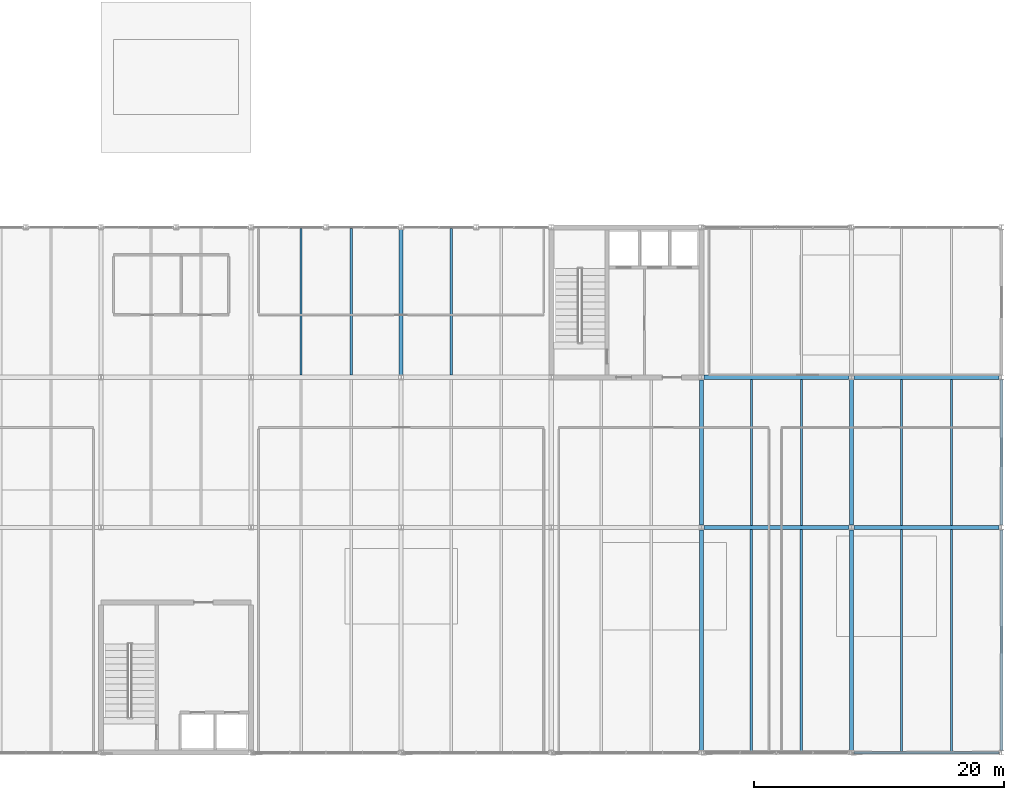
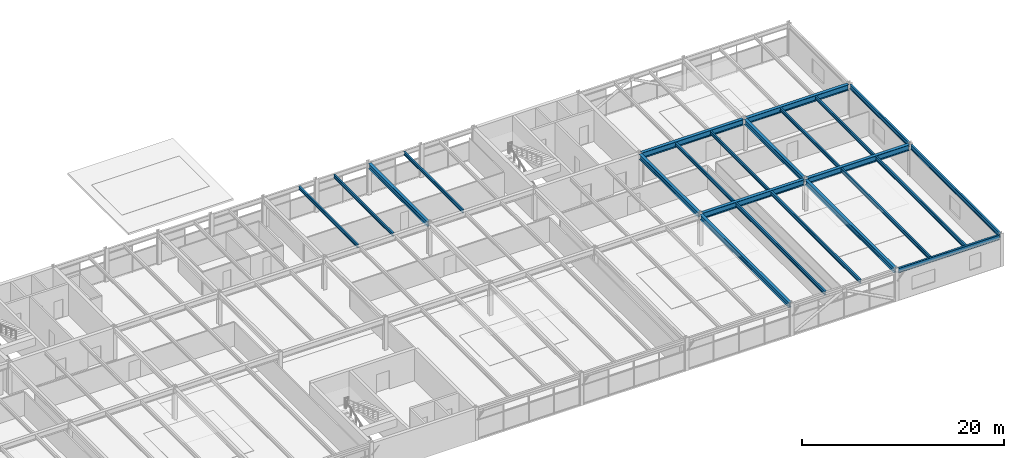
# One storey, part 32 of 49: 23 beams.
"""IFC4 building model written with IfcOpenShell, lengths in metres."""

from ifc_helpers import new_model, si_unit, direction, frame, origin, origin_2d, place, context, subcontext, project, spatial, i_section, extrude, material, material_profile, profile_set, type_object, element, save


model = new_model("IFC4")

# Units and contexts
model_context = context("Model", 3, precision=1e-05, world=origin(), true_north=direction((0.0, 1.0)))
body_context = subcontext(model_context, "Body", "Model", "MODEL_VIEW")
ifc_project = project(units=[si_unit("LENGTHUNIT", "METRE"), si_unit("AREAUNIT", "SQUARE_METRE"), si_unit("VOLUMEUNIT", "CUBIC_METRE"), si_unit("PLANEANGLEUNIT", "RADIAN"), si_unit("MASSUNIT", "GRAM", prefix="KILO")], contexts=[model_context])

# Site, building, storey
site_placement = place(None, origin())
site = spatial("IfcSite", under=ifc_project, at=site_placement, CompositionType="ELEMENT")
building_placement = place(site_placement, origin())
building = spatial("IfcBuilding", under=site, at=building_placement, Name="Girod Span Mobility Hub", CompositionType="ELEMENT")
storey_placement = place(building_placement, frame((0.0, 0.0, 37.60009765625)))
storey = spatial("IfcBuildingStorey", under=building, at=storey_placement, Name="L09", CompositionType="ELEMENT", Elevation=37.60009765625)

# Beams
ifc_material_1 = material(Name="Steel A992 Grade 50", Category="steel")
ifc_material_profile_1 = material_profile(ifc_material_1, i_section(OverallWidth=0.178955078125, OverallDepth=0.409912109375, WebThickness=0.0087890625, FlangeThickness=0.014404296875, FilletRadius=0.012939453125, at=origin_2d()), Name="W16X45")
ifc_profile_set_1 = profile_set([ifc_material_profile_1], Name="Steel A992 Grade 50")
beam_type_1 = type_object("IfcBeamType", Name="BM-STL-W16X45", PredefinedType="BEAM", material=ifc_profile_set_1)
for number, where, z_axis, x_axis, name in (
    (1, (88.0, 57.174560546875, 3.6298828125), (0.0, 1.0, 0.0), (-1.0, 0.0, 0.0), "Composite Floorbeam 8/E-1 L09"),
    (2, (92.0, 57.174560546875, 3.6298828125), (0.0, 1.0, 0.0), (-1.0, 0.0, 0.0), "Composite Floorbeam 8/E-2 L09"),
    (3, (100.0, 57.174560546875, 3.6298828125), (0.0, 1.0, 0.0), (-1.0, 0.0, 0.0), "Composite Floorbeam 9/E-1 L09"),
):
    element("IfcBeam", number, at=place(storey_placement, frame(where, z_axis=z_axis, x_axis=x_axis)), inside=storey, type_object=beam_type_1, Name=name, PredefinedType="BEAM", context=body_context, shape_type="SweptSolid", body=[
        extrude(i_section(OverallWidth=0.178955078125, OverallDepth=0.409912109375, WebThickness=0.0087890625, FlangeThickness=0.014404296875, FilletRadius=0.012939453125, at=origin_2d()), origin(), (0.0, 0.0, 1.0), 11.722412109375),
    ])
for number, where, z_axis, x_axis, name in (
    (4, (124.0, 45.174560546875, 3.6298828125), (0.0, 1.0, 0.0), (-1.0, 0.0, 0.0), "Composite Floorbeam 11/D-1 L09"),
    (5, (128.0, 45.174560546875, 3.6298828125), (0.0, 1.0, 0.0), (-1.0, 0.0, 0.0), "Composite Floorbeam 11/D-2 L09"),
    (6, (136.0, 45.174560546875, 3.6298828125), (0.0, 1.0, 0.0), (-1.0, 0.0, 0.0), "Composite Floorbeam 12/D-1 L09"),
    (7, (140.0, 45.174560546875, 3.6298828125), (0.0, 1.0, 0.0), (-1.0, 0.0, 0.0), "Composite Floorbeam 12/D-2 L09"),
):
    element("IfcBeam", number, at=place(storey_placement, frame(where, z_axis=z_axis, x_axis=x_axis)), inside=storey, type_object=beam_type_1, Name=name, PredefinedType="BEAM", context=body_context, shape_type="SweptSolid", body=[
        extrude(i_section(OverallWidth=0.178955078125, OverallDepth=0.409912109375, WebThickness=0.0087890625, FlangeThickness=0.014404296875, FilletRadius=0.012939453125, at=origin_2d()), origin(), (0.0, 0.0, 1.0), 11.65087890625),
    ])
ifc_material_2 = material(Name="Steel A992 Grade 50", Category="steel")
ifc_material_profile_2 = material_profile(ifc_material_2, i_section(OverallWidth=0.19189453125, OverallDepth=0.462890625, WebThickness=0.010498046875, FlangeThickness=0.017578125, FilletRadius=0.013916015625, at=origin_2d()), Name="W18X60")
ifc_profile_set_2 = profile_set([ifc_material_profile_2], Name="Steel A992 Grade 50")
beam_type_2 = type_object("IfcBeamType", Name="BM-STL-W18X60", PredefinedType="BEAM", material=ifc_profile_set_2)
for number, where, z_axis, x_axis, name in (
    (8, (124.0, 27.10302734375, 3.603515625), (0.0, 1.0, 0.0), (-1.0, 0.0, 0.0), "Composite Floorbeam 11/C-1 L09"),
    (9, (128.0, 27.10302734375, 3.603515625), (0.0, 1.0, 0.0), (-1.0, 0.0, 0.0), "Composite Floorbeam 11/C-2 L09"),
    (10, (136.0, 27.10302734375, 3.603515625), (0.0, 1.0, 0.0), (-1.0, 0.0, 0.0), "Composite Floorbeam 12/C-1 L09"),
    (11, (140.0, 27.10302734375, 3.603515625), (0.0, 1.0, 0.0), (-1.0, 0.0, 0.0), "Composite Floorbeam 12/C-2 L09"),
):
    element("IfcBeam", number, at=place(storey_placement, frame(where, z_axis=z_axis, x_axis=x_axis)), inside=storey, type_object=beam_type_2, Name=name, PredefinedType="BEAM", context=body_context, shape_type="SweptSolid", body=[
        extrude(i_section(OverallWidth=0.19189453125, OverallDepth=0.462890625, WebThickness=0.010498046875, FlangeThickness=0.017578125, FilletRadius=0.013916015625, at=origin_2d()), origin(), (0.0, 0.0, 1.0), 17.722412109375),
    ])
ifc_material_3 = material(Name="Steel A992 Grade 50", Category="steel")
ifc_material_profile_3 = material_profile(ifc_material_3, i_section(OverallWidth=0.2119140625, OverallDepth=0.5439453125, WebThickness=0.01318359375, FlangeThickness=0.021240234375, FilletRadius=0.014892578125, at=origin_2d()), Name="W21X83")
ifc_profile_set_3 = profile_set([ifc_material_profile_3], Name="Steel A992 Grade 50")
beam_type_3 = type_object("IfcBeamType", Name="BM-STL-W21X83", PredefinedType="SPANDREL", material=ifc_profile_set_3)
beam_1_placement = place(storey_placement, frame((132.194091796875, 27.0, 3.56298828125), z_axis=(1.0, 0.0, 0.0), x_axis=(0.0, 1.0, 0.0)))
element("IfcBeam", 12, at=beam_1_placement, inside=storey, type_object=beam_type_3, Name="Girder 12-13/C L09", PredefinedType="SPANDREL", context=body_context, shape_type="SweptSolid", body=[
    extrude(i_section(OverallWidth=0.2119140625, OverallDepth=0.5439453125, WebThickness=0.01318359375, FlangeThickness=0.021240234375, FilletRadius=0.014892578125, at=origin_2d()), origin(), (0.0, 0.0, 1.0), 11.61181640625),
])
beam_2_placement = place(storey_placement, frame((144.0, 27.1845703125, 3.56298828125), z_axis=(0.0, 1.0, 0.0), x_axis=(-1.0, 0.0, 0.0)))
element("IfcBeam", 13, at=beam_2_placement, inside=storey, type_object=beam_type_3, Name="Tie Girder 13/C-D L09", PredefinedType="SPANDREL", context=body_context, shape_type="SweptSolid", body=[
    extrude(i_section(OverallWidth=0.2119140625, OverallDepth=0.5439453125, WebThickness=0.01318359375, FlangeThickness=0.021240234375, FilletRadius=0.014892578125, at=origin_2d()), origin(), (0.0, 0.0, 1.0), 17.630859375),
])
beam_3_placement = place(storey_placement, frame((144.0, 45.1845703125, 3.56298828125), z_axis=(0.0, 1.0, 0.0), x_axis=(-1.0, 0.0, 0.0)))
element("IfcBeam", 14, at=beam_3_placement, inside=storey, type_object=beam_type_3, Name="Tie Girder 13/D-E L09", PredefinedType="SPANDREL", context=body_context, shape_type="SweptSolid", body=[
    extrude(i_section(OverallWidth=0.2119140625, OverallDepth=0.5439453125, WebThickness=0.01318359375, FlangeThickness=0.021240234375, FilletRadius=0.014892578125, at=origin_2d()), origin(), (0.0, 0.0, 1.0), 11.630859375),
])
ifc_material_4 = material(Name="Steel A992 Grade 50", Category="steel")
ifc_material_profile_4 = material_profile(ifc_material_4, i_section(OverallWidth=0.323974609375, OverallDepth=0.611083984375, WebThickness=0.0126953125, FlangeThickness=0.01904296875, FilletRadius=0.014892578125, at=origin_2d()), Name="W24X104")
ifc_profile_set_4 = profile_set([ifc_material_profile_4], Name="Steel A992 Grade 50")
beam_type_4 = type_object("IfcBeamType", Name="BM-STL-W24X104", PredefinedType="BEAM", material=ifc_profile_set_4)
beam_4_placement = place(storey_placement, frame((96.0, 57.193603515625, 3.529296875), z_axis=(0.0, 1.0, 0.0), x_axis=(-1.0, 0.0, 0.0)))
element("IfcBeam", 15, at=beam_4_placement, inside=storey, type_object=beam_type_4, Name="Tie Girder 9/E-F L09", PredefinedType="BEAM", context=body_context, shape_type="SweptSolid", body=[
    extrude(i_section(OverallWidth=0.323974609375, OverallDepth=0.611083984375, WebThickness=0.0126953125, FlangeThickness=0.01904296875, FilletRadius=0.014892578125, at=origin_2d()), origin(), (0.0, 0.0, 1.0), 11.61279296875),
])
beam_5_placement = place(storey_placement, frame((120.0, 27.1845703125, 3.529296875), z_axis=(0.0, 1.0, 0.0), x_axis=(-1.0, 0.0, 0.0)))
element("IfcBeam", 16, at=beam_5_placement, inside=storey, type_object=beam_type_4, Name="Tie Girder 11/C-D L09", PredefinedType="BEAM", context=body_context, shape_type="SweptSolid", body=[
    extrude(i_section(OverallWidth=0.323974609375, OverallDepth=0.611083984375, WebThickness=0.0126953125, FlangeThickness=0.01904296875, FilletRadius=0.014892578125, at=origin_2d()), origin(), (0.0, 0.0, 1.0), 17.621826171875),
])
beam_6_placement = place(storey_placement, frame((120.0, 45.193603515625, 3.529296875), z_axis=(0.0, 1.0, 0.0), x_axis=(-1.0, 0.0, 0.0)))
element("IfcBeam", 17, at=beam_6_placement, inside=storey, type_object=beam_type_4, Name="Tie Girder 11/D-E L09", PredefinedType="BEAM", context=body_context, shape_type="SweptSolid", body=[
    extrude(i_section(OverallWidth=0.323974609375, OverallDepth=0.611083984375, WebThickness=0.0126953125, FlangeThickness=0.01904296875, FilletRadius=0.014892578125, at=origin_2d()), origin(), (0.0, 0.0, 1.0), 11.61279296875),
])
beam_7_placement = place(storey_placement, frame((132.0, 27.1845703125, 3.529296875), z_axis=(0.0, 1.0, 0.0), x_axis=(-1.0, 0.0, 0.0)))
element("IfcBeam", 18, at=beam_7_placement, inside=storey, type_object=beam_type_4, Name="Tie Girder 12/C-D L09", PredefinedType="BEAM", context=body_context, shape_type="SweptSolid", body=[
    extrude(i_section(OverallWidth=0.323974609375, OverallDepth=0.611083984375, WebThickness=0.0126953125, FlangeThickness=0.01904296875, FilletRadius=0.014892578125, at=origin_2d()), origin(), (0.0, 0.0, 1.0), 17.630859375),
])
beam_8_placement = place(storey_placement, frame((132.0, 45.1845703125, 3.529296875), z_axis=(0.0, 1.0, 0.0), x_axis=(-1.0, 0.0, 0.0)))
element("IfcBeam", 19, at=beam_8_placement, inside=storey, type_object=beam_type_4, Name="Tie Girder 12/D-E L09", PredefinedType="BEAM", context=body_context, shape_type="SweptSolid", body=[
    extrude(i_section(OverallWidth=0.323974609375, OverallDepth=0.611083984375, WebThickness=0.0126953125, FlangeThickness=0.01904296875, FilletRadius=0.014892578125, at=origin_2d()), origin(), (0.0, 0.0, 1.0), 11.630859375),
])
ifc_material_5 = material(Name="Steel A992 Grade 50", Category="steel")
ifc_material_profile_5 = material_profile(ifc_material_5, i_section(OverallWidth=0.35498046875, OverallDepth=0.695068359375, WebThickness=0.015380859375, FlangeThickness=0.02490234375, FilletRadius=0.01806640625, at=origin_2d()), Name="W27X146")
ifc_profile_set_5 = profile_set([ifc_material_profile_5], Name="Steel A992 Grade 50")
beam_type_5 = type_object("IfcBeamType", Name="BM-STL-W27X146", PredefinedType="BEAM", material=ifc_profile_set_5)
beam_9_placement = place(storey_placement, frame((120.196533203125, 45.0, 3.4873046875), z_axis=(1.0, 0.0, 0.0), x_axis=(0.0, 1.0, 0.0)))
element("IfcBeam", 20, at=beam_9_placement, inside=storey, type_object=beam_type_5, Name="Girder 11-12/D L09", PredefinedType="BEAM", context=body_context, shape_type="SweptSolid", body=[
    extrude(i_section(OverallWidth=0.35498046875, OverallDepth=0.695068359375, WebThickness=0.015380859375, FlangeThickness=0.02490234375, FilletRadius=0.01806640625, at=origin_2d()), origin(), (0.0, 0.0, 1.0), 11.609375),
])
beam_10_placement = place(storey_placement, frame((132.194091796875, 45.0, 3.4873046875), z_axis=(1.0, 0.0, 0.0), x_axis=(0.0, 1.0, 0.0)))
element("IfcBeam", 21, at=beam_10_placement, inside=storey, type_object=beam_type_5, Name="Girder 12-13/D L09", PredefinedType="BEAM", context=body_context, shape_type="SweptSolid", body=[
    extrude(i_section(OverallWidth=0.35498046875, OverallDepth=0.695068359375, WebThickness=0.015380859375, FlangeThickness=0.02490234375, FilletRadius=0.01806640625, at=origin_2d()), origin(), (0.0, 0.0, 1.0), 11.61181640625),
])
beam_11_placement = place(storey_placement, frame((120.196533203125, 57.0, 3.4873046875), z_axis=(1.0, 0.0, 0.0), x_axis=(0.0, 1.0, 0.0)))
element("IfcBeam", 22, at=beam_11_placement, inside=storey, type_object=beam_type_5, Name="Girder 11-12/E L09", PredefinedType="BEAM", context=body_context, shape_type="SweptSolid", body=[
    extrude(i_section(OverallWidth=0.35498046875, OverallDepth=0.695068359375, WebThickness=0.015380859375, FlangeThickness=0.02490234375, FilletRadius=0.01806640625, at=origin_2d()), origin(), (0.0, 0.0, 1.0), 11.609375),
])
beam_12_placement = place(storey_placement, frame((132.194091796875, 57.0, 3.4873046875), z_axis=(1.0, 0.0, 0.0), x_axis=(0.0, 1.0, 0.0)))
element("IfcBeam", 23, at=beam_12_placement, inside=storey, type_object=beam_type_5, Name="Girder 12-13/E L09", PredefinedType="BEAM", context=body_context, shape_type="SweptSolid", body=[
    extrude(i_section(OverallWidth=0.35498046875, OverallDepth=0.695068359375, WebThickness=0.015380859375, FlangeThickness=0.02490234375, FilletRadius=0.01806640625, at=origin_2d()), origin(), (0.0, 0.0, 1.0), 11.61181640625),
])

save(model, "model.ifc")
